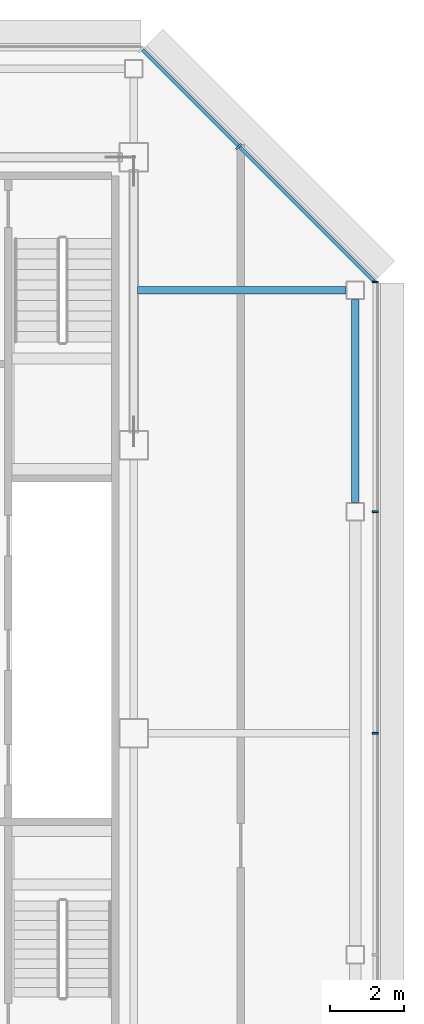
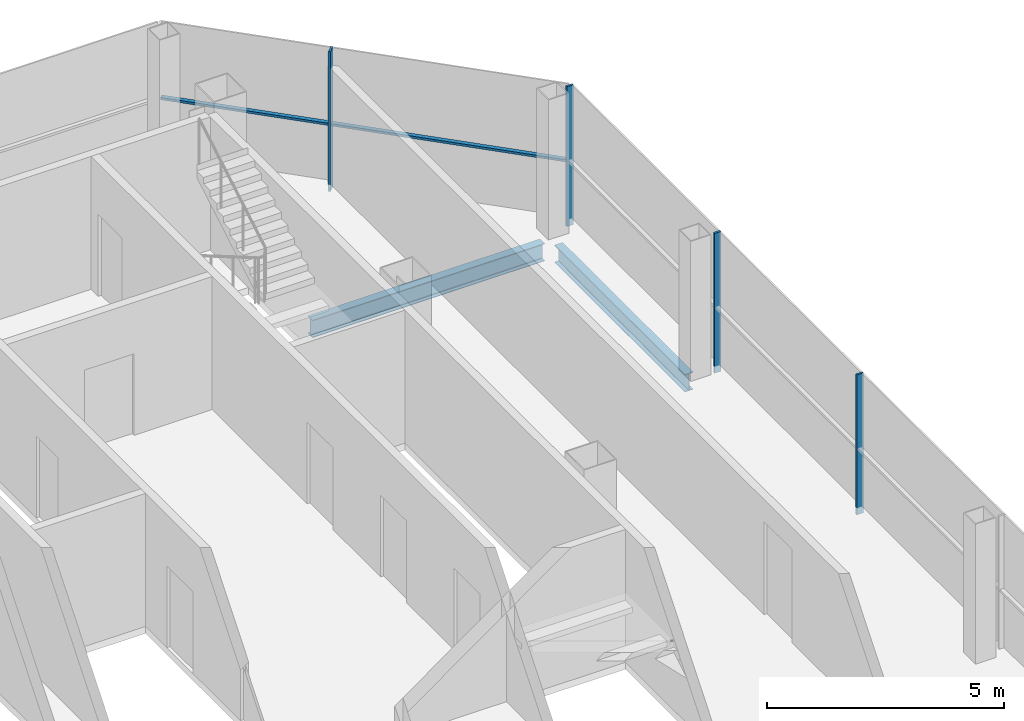
# One storey, part 21 of 31: 5 members, 2 beams, 2 elements without a shape of their own.
"""IFC4 building model written with IfcOpenShell, lengths in metres."""

from ifc_helpers import new_model, si_unit, direction, frame, origin, origin_2d, place, context, subcontext, project, spatial, rectangle, i_section, extrude, material, material_profile, profile_set, type_object, element, aggregate, save


model = new_model("IFC4")

# Units and contexts
model_context = context("Model", 3, precision=1e-05, world=origin(), true_north=direction((0.0, 1.0)))
body_context = subcontext(model_context, "Body", "Model", "MODEL_VIEW")
ifc_project = project(units=[si_unit("LENGTHUNIT", "METRE"), si_unit("AREAUNIT", "SQUARE_METRE"), si_unit("VOLUMEUNIT", "CUBIC_METRE"), si_unit("PLANEANGLEUNIT", "RADIAN"), si_unit("MASSUNIT", "GRAM", prefix="KILO")], contexts=[model_context])

# Site, building, storey
site_placement = place(None, origin())
site = spatial("IfcSite", under=ifc_project, at=site_placement, CompositionType="ELEMENT")
building_placement = place(site_placement, origin())
building = spatial("IfcBuilding", under=site, at=building_placement, Name="Sorahane Residences", CompositionType="ELEMENT")
storey_placement = place(building_placement, frame((0.0, 0.0, 319.60009765625)))
storey = spatial("IfcBuildingStorey", under=building, at=storey_placement, Name="L76", CompositionType="ELEMENT", Elevation=319.60009765625)

# Curtain wall, members
ifc_material_1 = material(Name="Dark low-e glass and black anodised aluminium", Category="aluminium")
curtain_wall_type_1 = type_object("IfcCurtainWallType", Name="Curtain wall CW-1 Typical unitised wall", PredefinedType="NOTDEFINED", material=ifc_material_1)
curtain_wall_1_placement = place(storey_placement, origin())
curtain_wall_1 = element("IfcCurtainWall", 1, at=curtain_wall_1_placement, inside=storey, type_object=curtain_wall_type_1, Name="CW-1 curtain wall L76 E2", PredefinedType="NOTDEFINED")
ifc_material_2 = material(Name="Black anodised aluminium", Category="aluminium")
ifc_material_profile_1 = material_profile(ifc_material_2, rectangle(XDim=0.159912109375, YDim=0.050048828125, at=origin_2d()), Name="Curtain wall mullion CW-1 black anodised aluminium 50x160")
ifc_profile_set_1 = profile_set([ifc_material_profile_1], Name="Black anodised aluminium")
member_type_1 = type_object("IfcMemberType", Name="Curtain wall mullion CW-1 black anodised aluminium 50x160", PredefinedType="MULLION", material=ifc_profile_set_1)
member_1_placement = place(storey_placement, frame((48.5400390625, 30.0, -0.18017578125), z_axis=(0.0, 0.0, 1.0), x_axis=(1.0, 0.0, 0.0)))
member_1 = element("IfcMember", 2, at=member_1_placement, type_object=member_type_1, Name="CW-1 mullion L76 E2.5", PredefinedType="MULLION", context=body_context, shape_type="SweptSolid", body=[
    extrude(rectangle(XDim=0.159912109375, YDim=0.050048828125, at=origin_2d()), origin(), (0.0, 0.0, 1.0), 3.60009765625),
])
member_2_placement = place(storey_placement, frame((48.5400390625, 36.0, -0.18017578125), z_axis=(0.0, 0.0, 1.0), x_axis=(1.0, 0.0, 0.0)))
member_2 = element("IfcMember", 3, at=member_2_placement, type_object=member_type_1, Name="CW-1 mullion L76 E2.6", PredefinedType="MULLION", context=body_context, shape_type="SweptSolid", body=[
    extrude(rectangle(XDim=0.159912109375, YDim=0.050048828125, at=origin_2d()), origin(), (0.0, 0.0, 1.0), 3.60009765625),
])
member_3_placement = place(storey_placement, frame((48.5400390625, 42.2236328125, -0.18017578125), z_axis=(0.0, 0.0, 1.0), x_axis=(1.0, 0.0, 0.0)))
member_3 = element("IfcMember", 4, at=member_3_placement, type_object=member_type_1, Name="CW-1 mullion L76 E2.7", PredefinedType="MULLION", context=body_context, shape_type="SweptSolid", body=[
    extrude(rectangle(XDim=0.159912109375, YDim=0.050048828125, at=origin_2d()), origin(), (0.0, 0.0, 1.0), 3.60009765625),
])
aggregate(curtain_wall_1, [member_1, member_2, member_3])

ifc_material_3 = material(Name="Dark low-e glass and black anodised aluminium", Category="aluminium")
curtain_wall_type_2 = type_object("IfcCurtainWallType", Name="Curtain wall CW-2 Chamfer unitised wall", PredefinedType="NOTDEFINED", material=ifc_material_3)
curtain_wall_2_placement = place(storey_placement, origin())
curtain_wall_2 = element("IfcCurtainWall", 5, at=curtain_wall_2_placement, inside=storey, type_object=curtain_wall_type_2, Name="CW-2 curtain wall L76 NE1", PredefinedType="NOTDEFINED")
ifc_material_4 = material(Name="Black anodised aluminium", Category="aluminium")
ifc_material_profile_2 = material_profile(ifc_material_4, rectangle(XDim=0.199951171875, YDim=0.050048828125, at=origin_2d()), Name="Curtain wall mullion CW-2 black anodised aluminium 50x200")
ifc_profile_set_2 = profile_set([ifc_material_profile_2], Name="Black anodised aluminium")
member_type_2 = type_object("IfcMemberType", Name="Curtain wall mullion CW-2 black anodised aluminium 50x200", PredefinedType="MULLION", material=ifc_profile_set_2)
member_4_placement = place(storey_placement, frame((44.84326171875, 45.89208984375, -0.18017578125), z_axis=(0.0, 0.0, 1.0), x_axis=(0.707106781187, 0.707106781187, 0.0)))
member_4 = element("IfcMember", 6, at=member_4_placement, type_object=member_type_2, Name="CW-2 mullion L76 NE1.2", PredefinedType="MULLION", context=body_context, shape_type="SweptSolid", body=[
    extrude(rectangle(XDim=0.199951171875, YDim=0.050048828125, at=origin_2d()), origin(), (0.0, 0.0, 1.0), 3.60009765625),
])
ifc_material_5 = material(Name="Black anodised aluminium", Category="aluminium")
ifc_material_profile_3 = material_profile(ifc_material_5, rectangle(XDim=0.10009765625, YDim=0.06005859375, at=origin_2d()), Name="Curtain wall transom CW-2 black anodised aluminium 60x100")
ifc_profile_set_3 = profile_set([ifc_material_profile_3], Name="Black anodised aluminium")
member_type_3 = type_object("IfcMemberType", Name="Curtain wall transom CW-2 black anodised aluminium 60x100", PredefinedType="USERDEFINED", material=ifc_profile_set_3)
member_5_placement = place(storey_placement, frame((48.51513671875, 42.234375, 1.5), z_axis=(-0.707106781187, 0.707106781187, 0.0), x_axis=(-0.707106781187, -0.707106781187, 0.0)))
member_5 = element("IfcMember", 7, at=member_5_placement, type_object=member_type_3, Name="CW-2 transom L76 NE1", ObjectType="TRANSOM", PredefinedType="USERDEFINED", context=body_context, shape_type="SweptSolid", body=[
    extrude(rectangle(XDim=0.10009765625, YDim=0.06005859375, at=origin_2d()), origin(), (0.0, 0.0, 1.0), 8.88232421875),
])
aggregate(curtain_wall_2, [member_4, member_5])

# Beams
ifc_material_6 = material(Name="Steel Q355B", Category="steel")
ifc_material_profile_4 = material_profile(ifc_material_6, i_section(OverallWidth=0.199951171875, OverallDepth=0.449951171875, WebThickness=0.009033203125, FlangeThickness=0.013916015625, FilletRadius=0.02001953125, at=origin_2d()), Name="HN 450x200x9x14")
ifc_profile_set_4 = profile_set([ifc_material_profile_4], Name="Steel Q355B")
beam_type = type_object("IfcBeamType", Name="Steel floor beam HN 450x200x9x14 Q355B", PredefinedType="BEAM", material=ifc_profile_set_4)
beam_1_placement = place(storey_placement, frame((48.0, 36.25, -0.405029296875), z_axis=(0.0, 1.0, 0.0), x_axis=(-1.0, 0.0, 0.0)))
element("IfcBeam", 8, at=beam_1_placement, inside=storey, type_object=beam_type, Name="Beam L76 064", PredefinedType="BEAM", context=body_context, shape_type="SweptSolid", body=[
    extrude(i_section(OverallWidth=0.199951171875, OverallDepth=0.449951171875, WebThickness=0.009033203125, FlangeThickness=0.013916015625, FilletRadius=0.02001953125, at=origin_2d()), origin(), (0.0, 0.0, 1.0), 5.5),
])
beam_2_placement = place(storey_placement, frame((42.10009765625, 42.0, -0.405029296875), z_axis=(1.0, 0.0, 0.0), x_axis=(0.0, 1.0, 0.0)))
element("IfcBeam", 9, at=beam_2_placement, inside=storey, type_object=beam_type, Name="Beam L76 088", PredefinedType="BEAM", context=body_context, shape_type="SweptSolid", body=[
    extrude(i_section(OverallWidth=0.199951171875, OverallDepth=0.449951171875, WebThickness=0.009033203125, FlangeThickness=0.013916015625, FilletRadius=0.02001953125, at=origin_2d()), origin(), (0.0, 0.0, 1.0), 5.64990234375),
])

save(model, "model.ifc")
